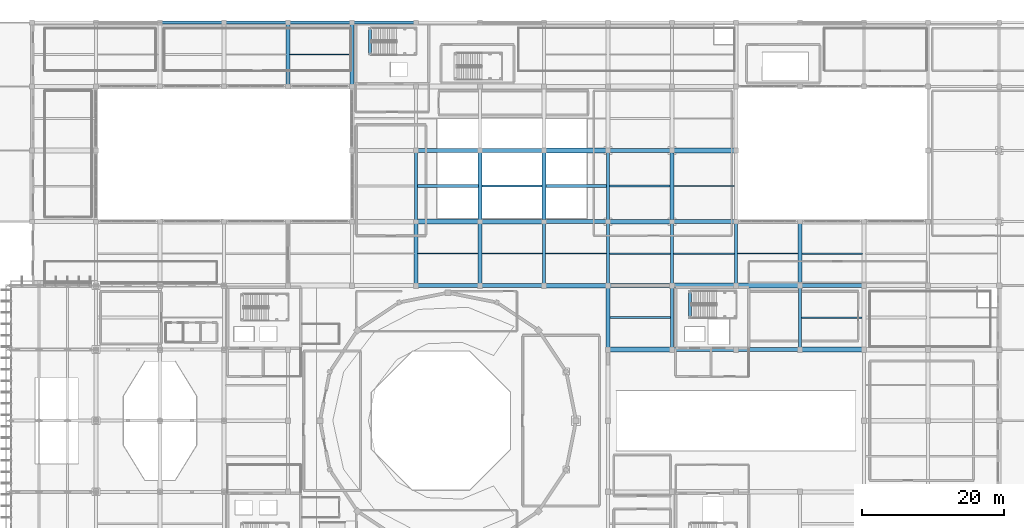
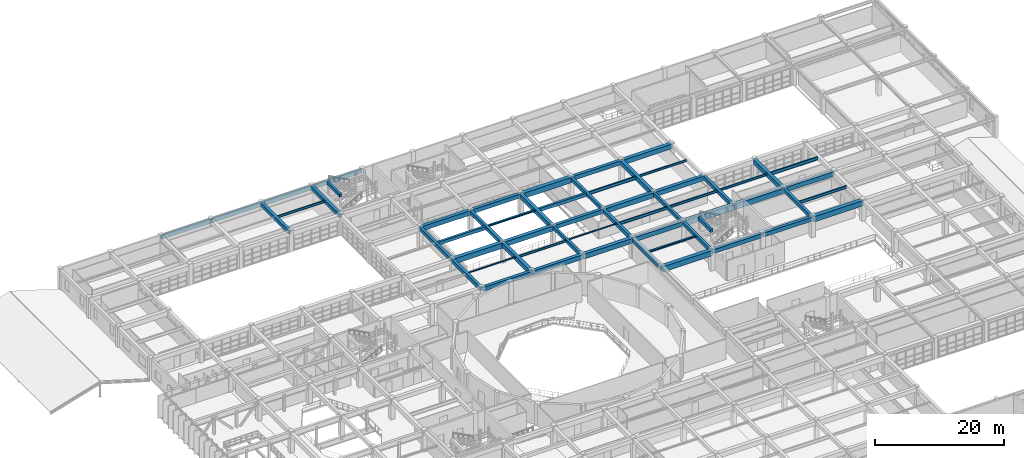
# One storey, part 69 of 130: 59 beams.
"""IFC4 building model written with IfcOpenShell, lengths in metres."""

from ifc_helpers import new_model, si_unit, direction, frame, origin, origin_2d, place, context, subcontext, project, spatial, rectangle, i_section, extrude, material, material_profile, profile_set, type_object, element, save


model = new_model("IFC4")

# Units and contexts
model_context = context("Model", 3, precision=1e-05, world=origin(), true_north=direction((0.0, 1.0)))
body_context = subcontext(model_context, "Body", "Model", "MODEL_VIEW")
ifc_project = project(units=[si_unit("LENGTHUNIT", "METRE"), si_unit("AREAUNIT", "SQUARE_METRE"), si_unit("VOLUMEUNIT", "CUBIC_METRE"), si_unit("PLANEANGLEUNIT", "RADIAN"), si_unit("MASSUNIT", "GRAM", prefix="KILO")], contexts=[model_context])

# Site, building, storey
site_placement = place(None, origin())
site = spatial("IfcSite", under=ifc_project, at=site_placement, CompositionType="ELEMENT")
building_placement = place(site_placement, origin())
building = spatial("IfcBuilding", under=site, at=building_placement, Name="Miravela Opera House", CompositionType="ELEMENT")
storey_placement = place(building_placement, frame((0.0, 0.0, 9.52001953125)))
storey = spatial("IfcBuildingStorey", under=building, at=storey_placement, Name="L02", CompositionType="ELEMENT", Elevation=9.52001953125)

# Beams
ifc_material_1 = material(Name="Concrete C35/45", Category="concrete")
ifc_material_profile_1 = material_profile(ifc_material_1, rectangle(XDim=0.39990234375, YDim=0.60009765625, at=origin_2d()), Name="RC-BM-400X600")
ifc_profile_set_1 = profile_set([ifc_material_profile_1])
beam_type_1 = type_object("IfcBeamType", Name="STR-BM-RC400X600", PredefinedType="JOIST", material=ifc_profile_set_1)
beam_1_placement = place(storey_placement, frame((72.22509765625, 89.0, 3.5400390625), z_axis=(1.0, 0.0, 0.0), x_axis=(0.0, 1.0, 0.0)))
element("IfcBeam", 1, at=beam_1_placement, inside=storey, type_object=beam_type_1, Name="Secondary Floor Joist L02 9-10/J-K", PredefinedType="JOIST", context=body_context, shape_type="SweptSolid", body=[
    extrude(rectangle(XDim=0.39990234375, YDim=0.60009765625, at=origin_2d()), origin(), (0.0, 0.0, 1.0), 8.539794921875),
])
beam_2_placement = place(storey_placement, frame((90.284912109375, 89.0, 3.5400390625), z_axis=(1.0, 0.0, 0.0), x_axis=(0.0, 1.0, 0.0)))
element("IfcBeam", 2, at=beam_2_placement, inside=storey, type_object=beam_type_1, Name="Secondary Floor Joist L02 11-12/J-K", PredefinedType="JOIST", context=body_context, shape_type="SweptSolid", body=[
    extrude(rectangle(XDim=0.39990234375, YDim=0.60009765625, at=origin_2d()), origin(), (0.0, 0.0, 1.0), 8.505126953125),
])
for number, where, z_axis, x_axis, name in (
    (3, (110.5400390625, 70.39990234375, 3.780029296875), (0.0, 1.0, 0.0), (-1.0, 0.0, 0.0), "Stair K3 Opening Header Trimmer Beam 03"),
    (4, (65.5400390625, 107.39990234375, 3.780029296875), (0.0, 1.0, 0.0), (-1.0, 0.0, 0.0), "Stair K5 Opening Header Trimmer Beam 03"),
):
    element("IfcBeam", number, at=place(storey_placement, frame(where, z_axis=z_axis, x_axis=x_axis)), inside=storey, type_object=beam_type_1, Name=name, PredefinedType="JOIST", context=body_context, shape_type="SweptSolid", body=[
        extrude(rectangle(XDim=0.39990234375, YDim=0.60009765625, at=origin_2d()), origin(), (0.0, 0.0, 1.0), 3.880126953125),
    ])
ifc_material_profile_2 = material_profile(ifc_material_1, rectangle(XDim=0.449951171875, YDim=0.64990234375, at=origin_2d()), Name="RC-BM-450X650")
ifc_profile_set_2 = profile_set([ifc_material_profile_2])
beam_type_2 = type_object("IfcBeamType", Name="STR-BM-RC450X650", PredefinedType="BEAM", material=ifc_profile_set_2)
beam_3_placement = place(storey_placement, frame((90.0, 75.080078125, 3.514892578125), z_axis=(0.0, 1.0, 0.0), x_axis=(-1.0, 0.0, 0.0)))
element("IfcBeam", 5, at=beam_3_placement, inside=storey, type_object=beam_type_2, Name="Floor Girder L02 11/I-J", PredefinedType="BEAM", context=body_context, shape_type="SweptSolid", body=[
    extrude(rectangle(XDim=0.449951171875, YDim=0.64990234375, at=origin_2d()), origin(), (0.0, 0.0, 1.0), 8.83984375),
])
beam_4_placement = place(storey_placement, frame((99.0, 84.080078125, 3.514892578125), z_axis=(0.0, 1.0, 0.0), x_axis=(-1.0, 0.0, 0.0)))
element("IfcBeam", 6, at=beam_4_placement, inside=storey, type_object=beam_type_2, Name="Floor Girder L02 12/J-K", PredefinedType="BEAM", context=body_context, shape_type="SweptSolid", body=[
    extrude(rectangle(XDim=0.449951171875, YDim=0.64990234375, at=origin_2d()), origin(), (0.0, 0.0, 1.0), 9.83984375),
])
for number, where, z_axis, x_axis, name in (
    (7, (108.0, 75.080078125, 3.514892578125), (0.0, 1.0, 0.0), (-1.0, 0.0, 0.0), "Floor Girder L02 13/I-J"),
    (8, (126.0, 66.080078125, 3.514892578125), (0.0, 1.0, 0.0), (-1.0, 0.0, 0.0), "Floor Girder L02 15/H-I"),
):
    element("IfcBeam", number, at=place(storey_placement, frame(where, z_axis=z_axis, x_axis=x_axis)), inside=storey, type_object=beam_type_2, Name=name, PredefinedType="BEAM", context=body_context, shape_type="SweptSolid", body=[
        extrude(rectangle(XDim=0.449951171875, YDim=0.64990234375, at=origin_2d()), origin(), (0.0, 0.0, 1.0), 8.83984375),
    ])
ifc_material_profile_3 = material_profile(ifc_material_1, rectangle(XDim=0.47998046875, YDim=0.679931640625, at=origin_2d()), Name="RC-BM-480X680")
ifc_profile_set_3 = profile_set([ifc_material_profile_3])
beam_type_3 = type_object("IfcBeamType", Name="STR-BM-RC480X680", PredefinedType="BEAM", material=ifc_profile_set_3)
beam_5_placement = place(storey_placement, frame((72.0, 84.080078125, 3.5), z_axis=(0.0, 1.0, 0.0), x_axis=(-1.0, 0.0, 0.0)))
element("IfcBeam", 9, at=beam_5_placement, inside=storey, type_object=beam_type_3, Name="Floor Girder L02 9/J-K", PredefinedType="BEAM", context=body_context, shape_type="SweptSolid", body=[
    extrude(rectangle(XDim=0.47998046875, YDim=0.679931640625, at=origin_2d()), origin(), (0.0, 0.0, 1.0), 9.83984375),
])
for number, where, z_axis, x_axis, name in (
    (10, (99.0, 75.080078125, 3.5), (0.0, 1.0, 0.0), (-1.0, 0.0, 0.0), "Floor Girder L02 12/I-J"),
    (11, (108.0, 66.080078125, 3.5), (0.0, 1.0, 0.0), (-1.0, 0.0, 0.0), "Floor Girder L02 13/H-I"),
    (12, (117.0, 75.080078125, 3.5), (0.0, 1.0, 0.0), (-1.0, 0.0, 0.0), "Floor Girder L02 14/I-J"),
):
    element("IfcBeam", number, at=place(storey_placement, frame(where, z_axis=z_axis, x_axis=x_axis)), inside=storey, type_object=beam_type_3, Name=name, PredefinedType="BEAM", context=body_context, shape_type="SweptSolid", body=[
        extrude(rectangle(XDim=0.47998046875, YDim=0.679931640625, at=origin_2d()), origin(), (0.0, 0.0, 1.0), 8.83984375),
    ])
ifc_material_profile_4 = material_profile(ifc_material_1, rectangle(XDim=0.5, YDim=0.699951171875, at=origin_2d()), Name="RC-BM-500X700")
ifc_profile_set_4 = profile_set([ifc_material_profile_4])
beam_type_4 = type_object("IfcBeamType", Name="STR-BM-RC500X700", PredefinedType="BEAM", material=ifc_profile_set_4)
for number, where, z_axis, x_axis, name in (
    (13, (54.0, 103.080078125, 3.489990234375), (0.0, 1.0, 0.0), (-1.0, 0.0, 0.0), "Floor Girder L02 7/L-M"),
    (14, (63.0, 103.080078125, 3.489990234375), (0.0, 1.0, 0.0), (-1.0, 0.0, 0.0), "Floor Girder L02 8/L-M"),
    (15, (72.0, 75.080078125, 3.489990234375), (0.0, 1.0, 0.0), (-1.0, 0.0, 0.0), "Floor Girder L02 9/I-J"),
):
    element("IfcBeam", number, at=place(storey_placement, frame(where, z_axis=z_axis, x_axis=x_axis)), inside=storey, type_object=beam_type_4, Name=name, PredefinedType="BEAM", context=body_context, shape_type="SweptSolid", body=[
        extrude(rectangle(XDim=0.5, YDim=0.699951171875, at=origin_2d()), origin(), (0.0, 0.0, 1.0), 8.83984375),
    ])
beam_6_placement = place(storey_placement, frame((81.0, 84.080078125, 3.489990234375), z_axis=(0.0, 1.0, 0.0), x_axis=(-1.0, 0.0, 0.0)))
element("IfcBeam", 16, at=beam_6_placement, inside=storey, type_object=beam_type_4, Name="Floor Girder L02 10/J-K", PredefinedType="BEAM", context=body_context, shape_type="SweptSolid", body=[
    extrude(rectangle(XDim=0.5, YDim=0.699951171875, at=origin_2d()), origin(), (0.0, 0.0, 1.0), 9.83984375),
])
beam_7_placement = place(storey_placement, frame((99.0, 66.080078125, 3.489990234375), z_axis=(0.0, 1.0, 0.0), x_axis=(-1.0, 0.0, 0.0)))
element("IfcBeam", 17, at=beam_7_placement, inside=storey, type_object=beam_type_4, Name="Floor Girder L02 12/H-I", PredefinedType="BEAM", context=body_context, shape_type="SweptSolid", body=[
    extrude(rectangle(XDim=0.5, YDim=0.699951171875, at=origin_2d()), origin(), (0.0, 0.0, 1.0), 8.83984375),
])
ifc_material_profile_5 = material_profile(ifc_material_1, rectangle(XDim=0.550048828125, YDim=0.75, at=origin_2d()), Name="RC-BM-550X750")
ifc_profile_set_5 = profile_set([ifc_material_profile_5])
beam_type_5 = type_object("IfcBeamType", Name="STR-BM-RC550X750", PredefinedType="BEAM", material=ifc_profile_set_5)
for number, where, z_axis, x_axis, name in (
    (18, (72.080078125, 75.0, 3.465087890625), (1.0, 0.0, 0.0), (0.0, 1.0, 0.0), "Floor Girder L02 9-10/I"),
    (19, (81.080078125, 94.0, 3.465087890625), (1.0, 0.0, 0.0), (0.0, 1.0, 0.0), "Floor Girder L02 10-11/K"),
    (20, (90.080078125, 84.0, 3.465087890625), (1.0, 0.0, 0.0), (0.0, 1.0, 0.0), "Floor Girder L02 11-12/J"),
    (21, (99.080078125, 94.0, 3.465087890625), (1.0, 0.0, 0.0), (0.0, 1.0, 0.0), "Floor Girder L02 12-13/K"),
    (22, (108.080078125, 66.0, 3.465087890625), (1.0, 0.0, 0.0), (0.0, 1.0, 0.0), "Floor Girder L02 13-14/H"),
    (23, (117.080078125, 66.0, 3.465087890625), (1.0, 0.0, 0.0), (0.0, 1.0, 0.0), "Floor Girder L02 14-15/H"),
):
    element("IfcBeam", number, at=place(storey_placement, frame(where, z_axis=z_axis, x_axis=x_axis)), inside=storey, type_object=beam_type_5, Name=name, PredefinedType="BEAM", context=body_context, shape_type="SweptSolid", body=[
        extrude(rectangle(XDim=0.550048828125, YDim=0.75, at=origin_2d()), origin(), (0.0, 0.0, 1.0), 8.83984375),
    ])
ifc_material_2 = material(Name="Concrete C40/50", Category="concrete")
ifc_material_profile_6 = material_profile(ifc_material_2, rectangle(XDim=0.60009765625, YDim=0.85009765625, at=origin_2d()), Name="RC-BM-600X850")
ifc_profile_set_6 = profile_set([ifc_material_profile_6])
beam_type_6 = type_object("IfcBeamType", Name="STR-BM-RC600X850", PredefinedType="BEAM", material=ifc_profile_set_6)
for number, where, z_axis, x_axis, name in (
    (24, (72.080078125, 94.0, 3.4150390625), (1.0, 0.0, 0.0), (0.0, 1.0, 0.0), "Floor Girder L02 9-10/K"),
    (25, (81.080078125, 75.0, 3.4150390625), (1.0, 0.0, 0.0), (0.0, 1.0, 0.0), "Floor Girder L02 10-11/I"),
    (26, (99.080078125, 75.0, 3.4150390625), (1.0, 0.0, 0.0), (0.0, 1.0, 0.0), "Floor Girder L02 12-13/I"),
    (27, (108.080078125, 84.0, 3.4150390625), (1.0, 0.0, 0.0), (0.0, 1.0, 0.0), "Floor Girder L02 13-14/J"),
    (28, (126.080078125, 75.0, 3.4150390625), (1.0, 0.0, 0.0), (0.0, 1.0, 0.0), "Floor Girder L02 15-16/I"),
    (29, (81.0, 75.080078125, 3.4150390625), (0.0, 1.0, 0.0), (-1.0, 0.0, 0.0), "Floor Girder L02 10/I-J"),
):
    element("IfcBeam", number, at=place(storey_placement, frame(where, z_axis=z_axis, x_axis=x_axis)), inside=storey, type_object=beam_type_6, Name=name, PredefinedType="BEAM", context=body_context, shape_type="SweptSolid", body=[
        extrude(rectangle(XDim=0.60009765625, YDim=0.85009765625, at=origin_2d()), origin(), (0.0, 0.0, 1.0), 8.83984375),
    ])
for number, where, z_axis, x_axis, name in (
    (30, (90.0, 84.080078125, 3.4150390625), (0.0, 1.0, 0.0), (-1.0, 0.0, 0.0), "Floor Girder L02 11/J-K"),
    (31, (108.0, 84.080078125, 3.4150390625), (0.0, 1.0, 0.0), (-1.0, 0.0, 0.0), "Floor Girder L02 13/J-K"),
):
    element("IfcBeam", number, at=place(storey_placement, frame(where, z_axis=z_axis, x_axis=x_axis)), inside=storey, type_object=beam_type_6, Name=name, PredefinedType="BEAM", context=body_context, shape_type="SweptSolid", body=[
        extrude(rectangle(XDim=0.60009765625, YDim=0.85009765625, at=origin_2d()), origin(), (0.0, 0.0, 1.0), 9.83984375),
    ])
beam_8_placement = place(storey_placement, frame((126.0, 75.080078125, 3.4150390625), z_axis=(0.0, 1.0, 0.0), x_axis=(-1.0, 0.0, 0.0)))
element("IfcBeam", 32, at=beam_8_placement, inside=storey, type_object=beam_type_6, Name="Floor Girder L02 15/I-J", PredefinedType="BEAM", context=body_context, shape_type="SweptSolid", body=[
    extrude(rectangle(XDim=0.60009765625, YDim=0.85009765625, at=origin_2d()), origin(), (0.0, 0.0, 1.0), 8.83984375),
])
ifc_material_profile_7 = material_profile(ifc_material_2, rectangle(XDim=0.64990234375, YDim=0.89990234375, at=origin_2d()), Name="RC-BM-650X900")
ifc_profile_set_7 = profile_set([ifc_material_profile_7])
beam_type_7 = type_object("IfcBeamType", Name="STR-BM-RC650X900", PredefinedType="BEAM", material=ifc_profile_set_7)
for number, where, z_axis, x_axis, name in (
    (33, (81.080078125, 84.0, 3.389892578125), (1.0, 0.0, 0.0), (0.0, 1.0, 0.0), "Floor Girder L02 10-11/J"),
    (34, (90.080078125, 75.0, 3.389892578125), (1.0, 0.0, 0.0), (0.0, 1.0, 0.0), "Floor Girder L02 11-12/I"),
    (35, (99.080078125, 84.0, 3.389892578125), (1.0, 0.0, 0.0), (0.0, 1.0, 0.0), "Floor Girder L02 12-13/J"),
    (36, (108.080078125, 94.0, 3.389892578125), (1.0, 0.0, 0.0), (0.0, 1.0, 0.0), "Floor Girder L02 13-14/K"),
):
    element("IfcBeam", number, at=place(storey_placement, frame(where, z_axis=z_axis, x_axis=x_axis)), inside=storey, type_object=beam_type_7, Name=name, PredefinedType="BEAM", context=body_context, shape_type="SweptSolid", body=[
        extrude(rectangle(XDim=0.64990234375, YDim=0.89990234375, at=origin_2d()), origin(), (0.0, 0.0, 1.0), 8.83984375),
    ])
ifc_material_profile_8 = material_profile(ifc_material_2, rectangle(XDim=0.699951171875, YDim=1.0, at=origin_2d()), Name="RC-BM-700X1000")
ifc_profile_set_8 = profile_set([ifc_material_profile_8])
beam_type_8 = type_object("IfcBeamType", Name="STR-BM-RC700X1000", PredefinedType="BEAM", material=ifc_profile_set_8)
for number, where, z_axis, x_axis, name in (
    (37, (72.080078125, 84.0, 3.340087890625), (1.0, 0.0, 0.0), (0.0, 1.0, 0.0), "Floor Girder L02 9-10/J"),
    (38, (90.080078125, 94.0, 3.340087890625), (1.0, 0.0, 0.0), (0.0, 1.0, 0.0), "Floor Girder L02 11-12/K"),
    (39, (99.080078125, 66.0, 3.340087890625), (1.0, 0.0, 0.0), (0.0, 1.0, 0.0), "Floor Girder L02 12-13/H"),
    (40, (108.080078125, 75.0, 3.340087890625), (1.0, 0.0, 0.0), (0.0, 1.0, 0.0), "Floor Girder L02 13-14/I"),
    (41, (117.080078125, 75.0, 3.340087890625), (1.0, 0.0, 0.0), (0.0, 1.0, 0.0), "Floor Girder L02 14-15/I"),
    (42, (126.080078125, 66.0, 3.340087890625), (1.0, 0.0, 0.0), (0.0, 1.0, 0.0), "Floor Girder L02 15-16/H"),
):
    element("IfcBeam", number, at=place(storey_placement, frame(where, z_axis=z_axis, x_axis=x_axis)), inside=storey, type_object=beam_type_8, Name=name, PredefinedType="BEAM", context=body_context, shape_type="SweptSolid", body=[
        extrude(rectangle(XDim=0.699951171875, YDim=1.0, at=origin_2d()), origin(), (0.0, 0.0, 1.0), 8.83984375),
    ])
ifc_material_3 = material(Name="Structural steel ASTM A992 Gr. 50", Category="steel")
ifc_material_profile_9 = material_profile(ifc_material_3, i_section(OverallWidth=0.1650390625, OverallDepth=0.200927734375, WebThickness=0.006103515625, FlangeThickness=0.01025390625, FilletRadius=0.010009765625, at=origin_2d()), Name="W200X36")
ifc_profile_set_9 = profile_set([ifc_material_profile_9])
beam_type_9 = type_object("IfcBeamType", Name="STR-BM-W200X36", PredefinedType="LINTEL", material=ifc_profile_set_9)
beam_9_placement = place(storey_placement, frame((72.235107421875, 79.5, 3.739501953125), z_axis=(1.0, 0.0, 0.0), x_axis=(0.0, 1.0, 0.0)))
element("IfcBeam", 43, at=beam_9_placement, inside=storey, type_object=beam_type_9, Name="Secondary Floor Joist L02 9-10/I-J", PredefinedType="LINTEL", context=body_context, shape_type="SweptSolid", body=[
    extrude(i_section(OverallWidth=0.1650390625, OverallDepth=0.200927734375, WebThickness=0.006103515625, FlangeThickness=0.01025390625, FilletRadius=0.010009765625, at=origin_2d()), origin(), (0.0, 0.0, 1.0), 8.47998046875),
])
beam_10_placement = place(storey_placement, frame((90.2099609375, 79.5, 3.739501953125), z_axis=(1.0, 0.0, 0.0), x_axis=(0.0, 1.0, 0.0)))
element("IfcBeam", 44, at=beam_10_placement, inside=storey, type_object=beam_type_9, Name="Secondary Floor Joist L02 11-12/I-J", PredefinedType="LINTEL", context=body_context, shape_type="SweptSolid", body=[
    extrude(i_section(OverallWidth=0.1650390625, OverallDepth=0.200927734375, WebThickness=0.006103515625, FlangeThickness=0.01025390625, FilletRadius=0.010009765625, at=origin_2d()), origin(), (0.0, 0.0, 1.0), 8.56494140625),
])
ifc_material_profile_10 = material_profile(ifc_material_3, i_section(OverallWidth=0.304931640625, OverallDepth=0.30810546875, WebThickness=0.010009765625, FlangeThickness=0.015380859375, FilletRadius=0.013916015625, at=origin_2d()), Name="W310X97")
ifc_profile_set_10 = profile_set([ifc_material_profile_10])
beam_type_10 = type_object("IfcBeamType", Name="STR-BM-W310X97", PredefinedType="JOIST", material=ifc_profile_set_10)
beam_11_placement = place(storey_placement, frame((81.235107421875, 89.0, 3.68603515625), z_axis=(1.0, 0.0, 0.0), x_axis=(0.0, 1.0, 0.0)))
element("IfcBeam", 45, at=beam_11_placement, inside=storey, type_object=beam_type_10, Name="Secondary Floor Joist L02 10-11/J-K", PredefinedType="JOIST", context=body_context, shape_type="SweptSolid", body=[
    extrude(i_section(OverallWidth=0.304931640625, OverallDepth=0.30810546875, WebThickness=0.010009765625, FlangeThickness=0.015380859375, FilletRadius=0.013916015625, at=origin_2d()), origin(), (0.0, 0.0, 1.0), 8.47998046875),
])
beam_12_placement = place(storey_placement, frame((99.235107421875, 70.5, 3.68603515625), z_axis=(1.0, 0.0, 0.0), x_axis=(0.0, 1.0, 0.0)))
element("IfcBeam", 46, at=beam_12_placement, inside=storey, type_object=beam_type_10, Name="Secondary Floor Joist L02 12-13/H-I", PredefinedType="JOIST", context=body_context, shape_type="SweptSolid", body=[
    extrude(i_section(OverallWidth=0.304931640625, OverallDepth=0.30810546875, WebThickness=0.010009765625, FlangeThickness=0.015380859375, FilletRadius=0.013916015625, at=origin_2d()), origin(), (0.0, 0.0, 1.0), 8.539794921875),
])
ifc_material_profile_11 = material_profile(ifc_material_3, i_section(OverallWidth=0.177978515625, OverallDepth=0.406982421875, WebThickness=0.0078125, FlangeThickness=0.0126953125, FilletRadius=0.012939453125, at=origin_2d()), Name="W410X60")
ifc_profile_set_11 = profile_set([ifc_material_profile_11])
beam_type_11 = type_object("IfcBeamType", Name="STR-BM-W410X60", PredefinedType="JOIST", material=ifc_profile_set_11)
beam_13_placement = place(storey_placement, frame((81.284912109375, 79.5, 3.636474609375), z_axis=(1.0, 0.0, 0.0), x_axis=(0.0, 1.0, 0.0)))
element("IfcBeam", 47, at=beam_13_placement, inside=storey, type_object=beam_type_11, Name="Secondary Floor Joist L02 10-11/I-J", PredefinedType="JOIST", context=body_context, shape_type="SweptSolid", body=[
    extrude(i_section(OverallWidth=0.177978515625, OverallDepth=0.406982421875, WebThickness=0.0078125, FlangeThickness=0.0126953125, FilletRadius=0.012939453125, at=origin_2d()), origin(), (0.0, 0.0, 1.0), 8.505126953125),
])
beam_14_placement = place(storey_placement, frame((117.22509765625, 79.5, 3.636474609375), z_axis=(1.0, 0.0, 0.0), x_axis=(0.0, 1.0, 0.0)))
element("IfcBeam", 48, at=beam_14_placement, inside=storey, type_object=beam_type_11, Name="Secondary Floor Joist L02 14-15/I-J", PredefinedType="JOIST", context=body_context, shape_type="SweptSolid", body=[
    extrude(i_section(OverallWidth=0.177978515625, OverallDepth=0.406982421875, WebThickness=0.0078125, FlangeThickness=0.0126953125, FilletRadius=0.012939453125, at=origin_2d()), origin(), (0.0, 0.0, 1.0), 8.489990234375),
])
ifc_material_profile_12 = material_profile(ifc_material_3, i_section(OverallWidth=0.180908203125, OverallDepth=0.4169921875, WebThickness=0.010986328125, FlangeThickness=0.018310546875, FilletRadius=0.013916015625, at=origin_2d()), Name="W410X85")
ifc_profile_set_12 = profile_set([ifc_material_profile_12])
beam_type_12 = type_object("IfcBeamType", Name="STR-BM-W410X85", PredefinedType="JOIST", material=ifc_profile_set_12)
beam_15_placement = place(storey_placement, frame((108.284912109375, 89.0, 3.631591796875), z_axis=(1.0, 0.0, 0.0), x_axis=(0.0, 1.0, 0.0)))
element("IfcBeam", 49, at=beam_15_placement, inside=storey, type_object=beam_type_12, Name="Secondary Floor Joist L02 13-14/J-K", PredefinedType="JOIST", context=body_context, shape_type="SweptSolid", body=[
    extrude(i_section(OverallWidth=0.180908203125, OverallDepth=0.4169921875, WebThickness=0.010986328125, FlangeThickness=0.018310546875, FilletRadius=0.013916015625, at=origin_2d()), origin(), (0.0, 0.0, 1.0), 8.505126953125),
])
ifc_material_profile_13 = material_profile(ifc_material_3, i_section(OverallWidth=0.19091796875, OverallDepth=0.4599609375, WebThickness=0.010009765625, FlangeThickness=0.01611328125, FilletRadius=0.014892578125, at=origin_2d()), Name="W460X82")
ifc_profile_set_13 = profile_set([ifc_material_profile_13])
beam_type_13 = type_object("IfcBeamType", Name="STR-BM-W460X82", PredefinedType="JOIST", material=ifc_profile_set_13)
beam_16_placement = place(storey_placement, frame((54.235107421875, 107.5, 3.60986328125), z_axis=(1.0, 0.0, 0.0), x_axis=(0.0, 1.0, 0.0)))
element("IfcBeam", 50, at=beam_16_placement, inside=storey, type_object=beam_type_13, Name="Secondary Floor Joist L02 7-8/L-M", PredefinedType="JOIST", context=body_context, shape_type="SweptSolid", body=[
    extrude(i_section(OverallWidth=0.19091796875, OverallDepth=0.4599609375, WebThickness=0.010009765625, FlangeThickness=0.01611328125, FilletRadius=0.014892578125, at=origin_2d()), origin(), (0.0, 0.0, 1.0), 8.52978515625),
])
beam_17_placement = place(storey_placement, frame((108.2099609375, 79.5, 3.60986328125), z_axis=(1.0, 0.0, 0.0), x_axis=(0.0, 1.0, 0.0)))
element("IfcBeam", 51, at=beam_17_placement, inside=storey, type_object=beam_type_13, Name="Secondary Floor Joist L02 13-14/I-J", PredefinedType="JOIST", context=body_context, shape_type="SweptSolid", body=[
    extrude(i_section(OverallWidth=0.19091796875, OverallDepth=0.4599609375, WebThickness=0.010009765625, FlangeThickness=0.01611328125, FilletRadius=0.014892578125, at=origin_2d()), origin(), (0.0, 0.0, 1.0), 8.56494140625),
])
ifc_material_profile_14 = material_profile(ifc_material_3, i_section(OverallWidth=0.208984375, OverallDepth=0.532958984375, WebThickness=0.01025390625, FlangeThickness=0.015625, FilletRadius=0.014892578125, at=origin_2d()), Name="W530X92")
ifc_profile_set_14 = profile_set([ifc_material_profile_14])
beam_type_14 = type_object("IfcBeamType", Name="STR-BM-W530X92", PredefinedType="BEAM", material=ifc_profile_set_14)
beam_18_placement = place(storey_placement, frame((99.22509765625, 79.5, 3.573486328125), z_axis=(1.0, 0.0, 0.0), x_axis=(0.0, 1.0, 0.0)))
element("IfcBeam", 52, at=beam_18_placement, inside=storey, type_object=beam_type_14, Name="Secondary Floor Joist L02 12-13/I-J", PredefinedType="BEAM", context=body_context, shape_type="SweptSolid", body=[
    extrude(i_section(OverallWidth=0.208984375, OverallDepth=0.532958984375, WebThickness=0.01025390625, FlangeThickness=0.015625, FilletRadius=0.014892578125, at=origin_2d()), origin(), (0.0, 0.0, 1.0), 8.56494140625),
])
beam_19_placement = place(storey_placement, frame((126.2099609375, 70.5, 3.573486328125), z_axis=(1.0, 0.0, 0.0), x_axis=(0.0, 1.0, 0.0)))
element("IfcBeam", 53, at=beam_19_placement, inside=storey, type_object=beam_type_14, Name="Secondary Floor Joist L02 15-16/H-I", PredefinedType="BEAM", context=body_context, shape_type="SweptSolid", body=[
    extrude(i_section(OverallWidth=0.208984375, OverallDepth=0.532958984375, WebThickness=0.01025390625, FlangeThickness=0.015625, FilletRadius=0.014892578125, at=origin_2d()), origin(), (0.0, 0.0, 1.0), 8.505126953125),
])
ifc_material_profile_15 = material_profile(ifc_material_3, i_section(OverallWidth=0.22802734375, OverallDepth=0.60791015625, WebThickness=0.01123046875, FlangeThickness=0.017333984375, FilletRadius=0.01611328125, at=origin_2d()), Name="W610X113")
ifc_profile_set_15 = profile_set([ifc_material_profile_15])
beam_type_15 = type_object("IfcBeamType", Name="STR-BM-W610X113", PredefinedType="BEAM", material=ifc_profile_set_15)
beam_20_placement = place(storey_placement, frame((99.2099609375, 89.0, 3.535888671875), z_axis=(1.0, 0.0, 0.0), x_axis=(0.0, 1.0, 0.0)))
element("IfcBeam", 54, at=beam_20_placement, inside=storey, type_object=beam_type_15, Name="Secondary Floor Joist L02 12-13/J-K", PredefinedType="BEAM", context=body_context, shape_type="SweptSolid", body=[
    extrude(i_section(OverallWidth=0.22802734375, OverallDepth=0.60791015625, WebThickness=0.01123046875, FlangeThickness=0.017333984375, FilletRadius=0.01611328125, at=origin_2d()), origin(), (0.0, 0.0, 1.0), 8.505126953125),
])
beam_21_placement = place(storey_placement, frame((126.284912109375, 79.5, 3.535888671875), z_axis=(1.0, 0.0, 0.0), x_axis=(0.0, 1.0, 0.0)))
element("IfcBeam", 55, at=beam_21_placement, inside=storey, type_object=beam_type_15, Name="Secondary Floor Joist L02 15-16/I-J", PredefinedType="BEAM", context=body_context, shape_type="SweptSolid", body=[
    extrude(i_section(OverallWidth=0.22802734375, OverallDepth=0.60791015625, WebThickness=0.01123046875, FlangeThickness=0.017333984375, FilletRadius=0.01611328125, at=origin_2d()), origin(), (0.0, 0.0, 1.0), 8.47998046875),
])
ifc_material_profile_16 = material_profile(ifc_material_1, rectangle(XDim=0.39990234375, YDim=0.75, at=origin_2d()), Name="RC-SPN-400X750")
ifc_profile_set_16 = profile_set([ifc_material_profile_16])
beam_type_16 = type_object("IfcBeamType", Name="STR-SPN-RC400X750", PredefinedType="SPANDREL", material=ifc_profile_set_16)
for number, where, z_axis, x_axis, name in (
    (56, (36.080078125, 112.0, 3.465087890625), (1.0, 0.0, 0.0), (0.0, 1.0, 0.0), "Floor Girder L02 5-6/M"),
    (57, (45.080078125, 112.0, 3.465087890625), (1.0, 0.0, 0.0), (0.0, 1.0, 0.0), "Floor Girder L02 6-7/M"),
    (58, (54.080078125, 112.0, 3.465087890625), (1.0, 0.0, 0.0), (0.0, 1.0, 0.0), "Floor Girder L02 7-8/M"),
    (59, (63.080078125, 112.0, 3.465087890625), (1.0, 0.0, 0.0), (0.0, 1.0, 0.0), "Floor Girder L02 8-9/M"),
):
    element("IfcBeam", number, at=place(storey_placement, frame(where, z_axis=z_axis, x_axis=x_axis)), inside=storey, type_object=beam_type_16, Name=name, PredefinedType="SPANDREL", context=body_context, shape_type="SweptSolid", body=[
        extrude(rectangle(XDim=0.39990234375, YDim=0.75, at=origin_2d()), origin(), (0.0, 0.0, 1.0), 8.83984375),
    ])

save(model, "model.ifc")
